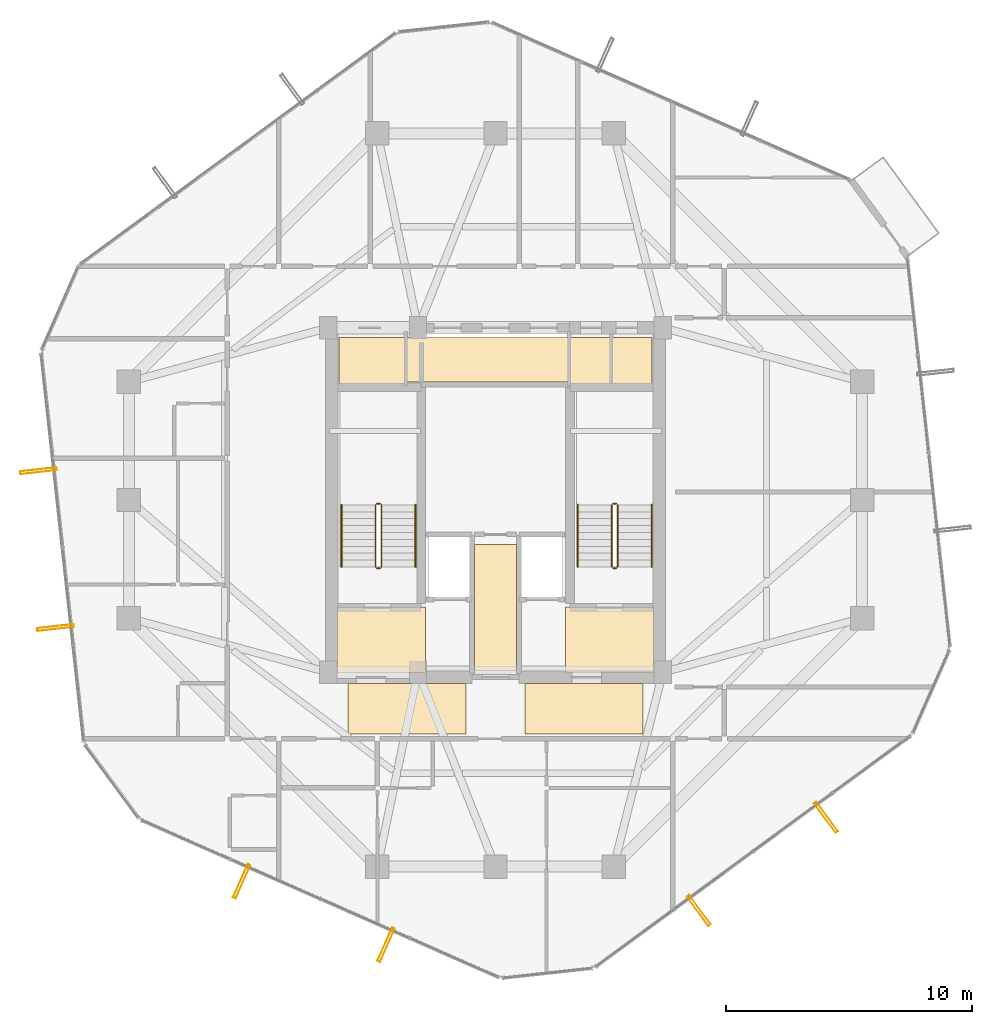
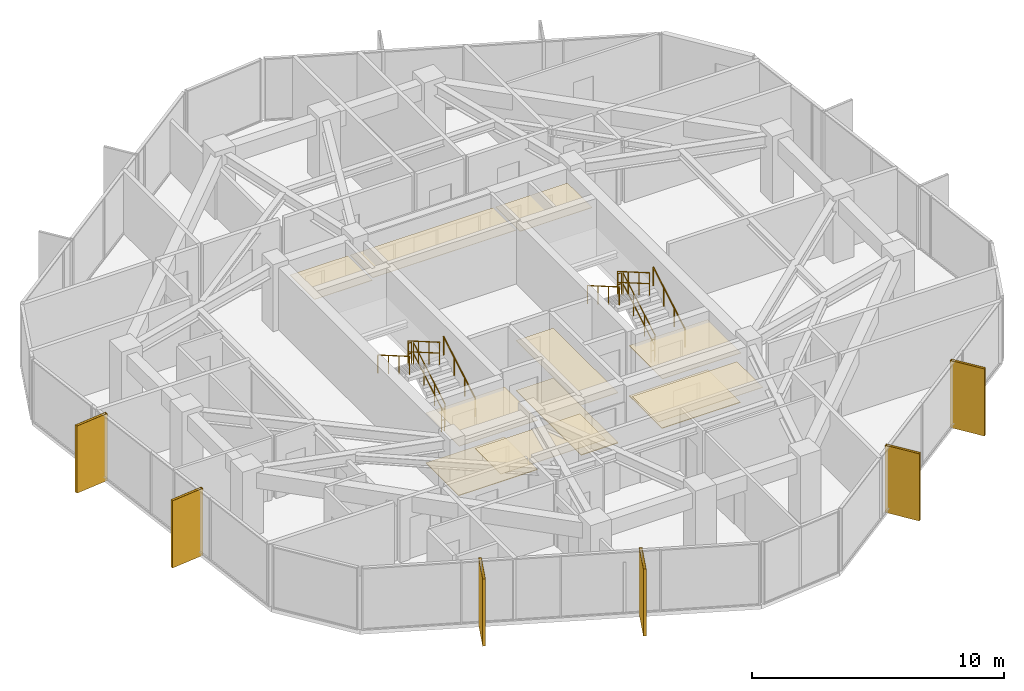
# One storey, part 31 of 32: 12 railings, 11 coverings, 6 shading devices.
"""IFC4 building model written with IfcOpenShell, lengths in metres."""

import ifcopenshell
import ifcopenshell.guid

model = None  # the IFC model being written
_history = None  # IfcOwnerHistory: only IFC2X3 demands one
_inside = {}  # id of a spatial element -> (the spatial element, [elements in it])
_under = {}  # id of a project, library or spatial element -> (it, [spatial elements below it])
_declared = {}  # id of a project -> (the project, [libraries it declares])
_typed = {}  # id of a type object -> (the type object, [elements of that type])
_made_of = {}  # id of a material, layer set ... -> (it, [elements and type objects made of it])


def new_model(schema):
    """Start an empty IFC model of exactly this schema.

    Asked for "IFC4X3", IfcOpenShell would pick the latest addendum, in which some entities
    have other attributes; the version numbers below select the first issue.
    IFC2X3 requires an IfcOwnerHistory on every rooted entity: one is made here for all.
    """
    global model, _history
    if schema == "IFC4X3":
        model = ifcopenshell.file(schema_version=(4, 3, 0, 0))
    else:
        model = ifcopenshell.file(schema=schema)
    _inside.clear()
    _under.clear()
    _declared.clear()
    _typed.clear()
    _made_of.clear()
    _history = None
    if model.schema == "IFC2X3":
        org = make("IfcOrganization", Name="unknown")
        user = make(
            "IfcPersonAndOrganization",
            ThePerson=make("IfcPerson", FamilyName="unknown"),
            TheOrganization=org,
        )
        app = make(
            "IfcApplication",
            ApplicationDeveloper=org,
            Version="unknown",
            ApplicationFullName="unknown",
            ApplicationIdentifier="unknown",
        )
        _history = make(
            "IfcOwnerHistory",
            OwningUser=user,
            OwningApplication=app,
            ChangeAction="ADDED",
            CreationDate=0,
        )
    return model


def make(cls, **values):
    """One entity of the class cls with the attributes given. An attribute that is None is left unset."""
    return model.create_entity(
        cls, **{name: value for name, value in values.items() if value is not None}
    )


def rooted(cls, **values):
    """An entity with a GlobalId (a new one), such as an element, a storey or a relation."""
    return make(cls, GlobalId=ifcopenshell.guid.new(), OwnerHistory=_history, **values)


def si_unit(unit_type, name, prefix=None):
    """IfcSIUnit, for example si_unit("LENGTHUNIT", "METRE", prefix="MILLI")."""
    return make("IfcSIUnit", UnitType=unit_type, Prefix=prefix, Name=name)


def assignment(units):
    """IfcUnitAssignment: the units of a project."""
    return None if units is None else make("IfcUnitAssignment", Units=units)


def point(xyz):
    """IfcCartesianPoint."""
    return None if xyz is None else make("IfcCartesianPoint", Coordinates=xyz)


def direction(xyz):
    """IfcDirection."""
    return None if xyz is None else make("IfcDirection", DirectionRatios=xyz)


def frame(location, z_axis=None, x_axis=None):
    """IfcAxis2Placement3D, a coordinate frame: its origin and axes. An axis left out is left unset."""
    return make(
        "IfcAxis2Placement3D",
        Location=point(location),
        Axis=direction(z_axis),
        RefDirection=direction(x_axis),
    )


def frame_2d(location, x_axis=None):
    """IfcAxis2Placement2D, a coordinate frame in the plane: its origin and x axis."""
    return make(
        "IfcAxis2Placement2D", Location=point(location), RefDirection=direction(x_axis)
    )


def origin():
    """The frame at (0, 0, 0) with its axes left unset."""
    return frame((0.0, 0.0, 0.0))


def origin_2d():
    """The frame at (0, 0) in the plane with its x axis left unset."""
    return frame_2d((0.0, 0.0))


def place(relative_to, where):
    """IfcLocalPlacement: puts the frame where relative to a parent placement (None: the world)."""
    return make(
        "IfcLocalPlacement", PlacementRelTo=relative_to, RelativePlacement=where
    )


def context(
    kind, dimensions, precision=None, world=None, true_north=None, identifier=None
):
    """IfcGeometricRepresentationContext, for example the 3D "Model" context."""
    return make(
        "IfcGeometricRepresentationContext",
        ContextIdentifier=identifier,
        ContextType=kind,
        CoordinateSpaceDimension=dimensions,
        Precision=precision,
        WorldCoordinateSystem=world,
        TrueNorth=true_north,
    )


def subcontext(parent, identifier, kind, view, scale=None):
    """IfcGeometricRepresentationSubContext, for example "Body" below "Model"."""
    return make(
        "IfcGeometricRepresentationSubContext",
        ContextIdentifier=identifier,
        ContextType=kind,
        ParentContext=parent,
        TargetScale=scale,
        TargetView=view,
    )


def project(units=None, contexts=None):
    """IfcProject with its units and contexts."""
    return rooted(
        "IfcProject",
        Name="project",
        RepresentationContexts=contexts,
        UnitsInContext=assignment(units),
    )


def spatial(cls, under=None, at=None, **own):
    """A site, building, storey or space (cls), placed at a placement, below another one or the project."""
    s = rooted(cls, ObjectPlacement=at, **own)
    if under is not None:
        _under.setdefault(under.id(), (under, []))[1].append(s)
    return s


def polyline(points):
    """IfcPolyline through the points."""
    return make("IfcPolyline", Points=[point(p) for p in points])


def profile(cls, at=None, kind="AREA", **sizes):
    """A parametric profile (cls). Its sizes go by their IFC names, for example OverallWidth=200.0."""
    return make(cls, ProfileType=kind, Position=at, **sizes)


def hollow_rectangle(**sizes):
    """IfcRectangleHollowProfileDef."""
    return profile("IfcRectangleHollowProfileDef", **sizes)


def circle(**sizes):
    """IfcCircleProfileDef."""
    return profile("IfcCircleProfileDef", **sizes)


def outline(outer, holes=None, kind="AREA"):
    """IfcArbitraryClosedProfileDef: a profile drawn as a closed curve; with holes, ...WithVoids."""
    if holes is None:
        return make("IfcArbitraryClosedProfileDef", ProfileType=kind, OuterCurve=outer)
    return make(
        "IfcArbitraryProfileDefWithVoids",
        ProfileType=kind,
        OuterCurve=outer,
        InnerCurves=holes,
    )


def extrude(swept, where, along, depth):
    """IfcExtrudedAreaSolid: the profile swept, set in the frame where, extruded along a direction by depth."""
    return make(
        "IfcExtrudedAreaSolid",
        SweptArea=swept,
        Position=where,
        ExtrudedDirection=direction(along),
        Depth=depth,
    )


def shape(context_of_items, identifier, shape_type, items):
    """IfcShapeRepresentation: the items that make up one representation, for example the "Body"."""
    return make(
        "IfcShapeRepresentation",
        ContextOfItems=context_of_items,
        RepresentationIdentifier=identifier,
        RepresentationType=shape_type,
        Items=items,
    )


def material(Name=None, Category=None):
    """IfcMaterial."""
    return make("IfcMaterial", Name=Name, Category=Category)


def layer(
    of_material, thickness, ventilated=None, Name=None, Category=None, Priority=None
):
    """IfcMaterialLayer: one layer of a wall or slab, of a material (None: an air gap)."""
    return make(
        "IfcMaterialLayer",
        Material=of_material,
        LayerThickness=thickness,
        IsVentilated=ventilated,
        Name=Name,
        Category=Category,
        Priority=Priority,
    )


def layer_set(layers, Name=None):
    """IfcMaterialLayerSet."""
    return make("IfcMaterialLayerSet", MaterialLayers=layers, LayerSetName=Name)


def material_profile(
    of_material, cross_section, Name=None, Category=None, Priority=None
):
    """IfcMaterialProfile: a cross section and its material."""
    return make(
        "IfcMaterialProfile",
        Name=Name,
        Material=of_material,
        Profile=cross_section,
        Priority=Priority,
        Category=Category,
    )


def profile_set(profiles, Name=None, composite=None):
    """IfcMaterialProfileSet."""
    return make(
        "IfcMaterialProfileSet",
        Name=Name,
        MaterialProfiles=profiles,
        CompositeProfile=composite,
    )


def made_of(thing, what):
    """Note that an element or type object is made of a material, layer set ...; save() writes the relation."""
    if what is not None:
        _made_of.setdefault(what.id(), (what, []))[1].append(thing)
    return thing


def type_object(cls, material=None, **own):
    """A type object (cls), such as IfcWallType, which elements share."""
    return made_of(rooted(cls, **own), material)


def element(
    cls,
    number,
    at=None,
    inside=None,
    cuts=None,
    type_object=None,
    material=None,
    context=None,
    identifier="Body",
    shape_type=None,
    held_by="IfcProductDefinitionShape",
    body=None,
    shapes=None,
    **own,
):
    """One element of the class cls, such as IfcWall. Its Tag is "e" and its number.

    at: its placement. inside: the storey or other place that contains it. cuts: it is an
    opening in that element (IfcRelVoidsElement). A single representation is given by context,
    identifier, shape_type and body (its items); several are given by shapes. held_by: the class
    of the entity that holds the representations. save() writes the other relations.
    """
    e = rooted(cls, Tag="e%d" % number, ObjectPlacement=at, **own)
    if body is not None:
        shapes = [shape(context, identifier, shape_type, body)]
    if shapes is not None:
        e.Representation = make(held_by, Representations=shapes)
    if inside is not None:
        _inside.setdefault(inside.id(), (inside, []))[1].append(e)
    if cuts is not None:
        rooted(
            "IfcRelVoidsElement", RelatingBuildingElement=cuts, RelatedOpeningElement=e
        )
    if type_object is not None:
        _typed.setdefault(type_object.id(), (type_object, []))[1].append(e)
    return made_of(e, material)


def aggregate(whole, parts):
    """IfcRelAggregates: a whole, such as a stair, and the parts it consists of."""
    return rooted("IfcRelAggregates", RelatingObject=whole, RelatedObjects=parts)


def save(model, path):
    """Write the relations noted so far, then the file.

    IfcRelAggregates (storeys below a building ...), IfcRelContainedInSpatialStructure (elements
    in a storey), IfcRelDefinesByType, IfcRelAssociatesMaterial and IfcRelDeclares: one each for
    every whole, place, type object, material and project.
    """
    for whole, parts in _under.values():
        aggregate(whole, parts)
    for where, things in _inside.values():
        rooted(
            "IfcRelContainedInSpatialStructure",
            RelatedElements=things,
            RelatingStructure=where,
        )
    for kind, things in _typed.values():
        rooted("IfcRelDefinesByType", RelatedObjects=things, RelatingType=kind)
    for what, things in _made_of.values():
        rooted("IfcRelAssociatesMaterial", RelatedObjects=things, RelatingMaterial=what)
    for by, libraries in _declared.values():
        rooted("IfcRelDeclares", RelatingContext=by, RelatedDefinitions=libraries)
    model.write(path)


model = new_model("IFC4")

# Units and contexts
model_context = context("Model", 3, precision=1e-05, world=origin(), true_north=direction((0.0, 1.0)))
body_context = subcontext(model_context, "Body", "Model", "MODEL_VIEW")
ifc_project = project(units=[si_unit("LENGTHUNIT", "METRE"), si_unit("AREAUNIT", "SQUARE_METRE"), si_unit("VOLUMEUNIT", "CUBIC_METRE"), si_unit("PLANEANGLEUNIT", "RADIAN"), si_unit("MASSUNIT", "GRAM", prefix="KILO")], contexts=[model_context])

# Site, building, storey
site_placement = place(None, origin())
site = spatial("IfcSite", under=ifc_project, at=site_placement, CompositionType="ELEMENT")
building_placement = place(site_placement, origin())
building = spatial("IfcBuilding", under=site, at=building_placement, Name="Veraguas Prism Commons", CompositionType="ELEMENT")
storey_placement = place(building_placement, frame((0.0, 0.0, 185.35009765625)))
storey = spatial("IfcBuildingStorey", under=building, at=storey_placement, Name="L52", CompositionType="ELEMENT", Elevation=185.35009765625)

# Shading devices
ifc_material_1 = material(Name="Anodised aluminium EN AW-6063 T6", Category="aluminium")
ifc_material_profile = material_profile(ifc_material_1, hollow_rectangle(XDim=0.1201171875, YDim=1.489990234375, WallThickness=0.006103515625, at=origin_2d()), Name="FIN120X1490X6")
ifc_profile_set = profile_set([ifc_material_profile], Name="Anodised aluminium EN AW-6063 T6")
shading_device_type = type_object("IfcShadingDeviceType", Name="Deep Pale-Metal Vertical Solar Fin 120x1490", PredefinedType="USERDEFINED", material=ifc_profile_set)
for number, where, z_axis, x_axis, name in (
    (1, (5.4248046875, 25.18603515625, -0.215087890625), (0.0, 0.0, 1.0), (0.109040368753, -0.994037322228, 0.0), "Vertical Pale-Metal Solar Fin L52-F3A"),
    (2, (6.12353515625, 18.815185546875, -0.215087890625), (0.0, 0.0, 1.0), (0.109040368753, -0.994037322228, 0.0), "Vertical Pale-Metal Solar Fin L52-F3B"),
    (3, (13.685302734375, 8.50634765625, -0.215087890625), (0.0, 0.0, 1.0), (0.915381757736, -0.402586931735, 0.0), "Vertical Pale-Metal Solar Fin L52-F4A"),
    (4, (19.5517578125, 5.92626953125, -0.215087890625), (0.0, 0.0, 1.0), (0.915381757736, -0.402586931735, 0.0), "Vertical Pale-Metal Solar Fin L52-F4B"),
    (5, (32.260498046875, 7.3203125, -0.215087890625), (0.0, 0.0, 1.0), (0.806341388983, 0.591450390493, 0.0), "Vertical Pale-Metal Solar Fin L52-F5A"),
    (6, (37.42822265625, 11.11083984375, -0.215087890625), (0.0, 0.0, 1.0), (0.806341388983, 0.591450390493, 0.0), "Vertical Pale-Metal Solar Fin L52-F5B"),
):
    element("IfcShadingDevice", number, at=place(storey_placement, frame(where, z_axis=z_axis, x_axis=x_axis)), inside=storey, type_object=shading_device_type, Name=name, ObjectType="FIN", PredefinedType="USERDEFINED", context=body_context, shape_type="SweptSolid", body=[
        extrude(hollow_rectangle(XDim=0.1201171875, YDim=1.489990234375, WallThickness=0.006103515625, at=origin_2d()), origin(), (0.0, 0.0, 1.0), 3.25),
    ])

# Coverings
ifc_material_2 = material(Name="Acoustic gypsum board")
ifc_layer_1 = layer(ifc_material_2, 0.02490234375, Name="Perforated Acoustic Ceiling Tile 25")
ifc_layer_set_1 = layer_set([ifc_layer_1], Name="Acoustic gypsum board")
covering_type_1 = type_object("IfcCoveringType", Name="Perforated Acoustic Ceiling Tile 25", PredefinedType="USERDEFINED", material=ifc_layer_set_1)
covering_1_placement = place(storey_placement, frame((0.0, 0.0, 2.4248046875)))
element("IfcCovering", 7, at=covering_1_placement, inside=storey, type_object=covering_type_1, Name="East Lobby Acoustic Ceiling L52", ObjectType="ACOUSTIC CEILING", PredefinedType="USERDEFINED", context=body_context, shape_type="SweptSolid", body=[
    extrude(outline(polyline([(26.85009765625, 17.0), (30.449951171875, 17.0), (30.449951171875, 19.64990234375), (26.85009765625, 19.64990234375), (26.85009765625, 17.0)])), origin(), (0.0, 0.0, 1.0), 0.025146484375),
])
ifc_material_3 = material(Name="Terrazzo stone finish", Category="masonry")
ifc_layer_2 = layer(ifc_material_3, 0.030029296875, Name="Polished Terrazzo Floor Finish 30", Category="masonry")
ifc_layer_set_2 = layer_set([ifc_layer_2], Name="Terrazzo stone finish")
covering_type_2 = type_object("IfcCoveringType", Name="Polished Terrazzo Floor Finish 30", PredefinedType="FLOORING", material=ifc_layer_set_2)
covering_2_placement = place(storey_placement, origin())
element("IfcCovering", 8, at=covering_2_placement, inside=storey, type_object=covering_type_2, Name="Terrazzo Lobby Flooring L52", PredefinedType="FLOORING", context=body_context, shape_type="SweptSolid", body=[
    extrude(outline(polyline([(23.14990234375, 17.050048828125), (24.85009765625, 17.050048828125), (24.85009765625, 22.199951171875), (23.14990234375, 22.199951171875), (23.14990234375, 17.050048828125)])), origin(), (0.0, 0.0, 1.0), 0.02978515625),
])
covering_3_placement = place(storey_placement, origin())
element("IfcCovering", 9, at=covering_3_placement, inside=storey, type_object=covering_type_2, Name="West FF Lobby Terrazzo Flooring L52", PredefinedType="FLOORING", context=body_context, shape_type="SweptSolid", body=[
    extrude(outline(polyline([(17.550048828125, 17.050048828125), (21.14990234375, 17.050048828125), (21.14990234375, 19.64990234375), (17.550048828125, 19.64990234375), (17.550048828125, 17.050048828125)])), origin(), (0.0, 0.0, 1.0), 0.02978515625),
])
covering_4_placement = place(storey_placement, origin())
element("IfcCovering", 10, at=covering_4_placement, inside=storey, type_object=covering_type_2, Name="East FF Lobby Terrazzo Flooring L52", PredefinedType="FLOORING", context=body_context, shape_type="SweptSolid", body=[
    extrude(outline(polyline([(26.85009765625, 17.050048828125), (30.449951171875, 17.050048828125), (30.449951171875, 19.64990234375), (26.85009765625, 19.64990234375), (26.85009765625, 17.050048828125)])), origin(), (0.0, 0.0, 1.0), 0.02978515625),
])

# Railings
ifc_material_4 = material(Name="Stainless steel AISI 316", Category="steel")
railing_type_1 = type_object("IfcRailingType", Name="Stair and Ramp Stainless Handrail 900", PredefinedType="HANDRAIL", material=ifc_material_4)
railing_1_placement = place(storey_placement, frame((20.75, 21.280029296875, 0.162353515625)))
element("IfcRailing", 11, at=railing_1_placement, inside=storey, type_object=railing_type_1, Name="Stair Handrail ST-01 L52-1", PredefinedType="HANDRAIL", context=body_context, shape_type="SweptSolid", body=[
    extrude(circle(Radius=0.02392578125, at=origin_2d()), frame((0.0, 0.0, 0.8759765625), z_axis=(0.0, 0.864876961378, 0.501983905795), x_axis=(-1.0, 0.0, 0.0)), (0.0, 0.0, 1.0), 2.913818359375),
    extrude(circle(Radius=0.02099609375, at=origin_2d()), origin(), (0.0, 0.0, 1.0), 0.851806640625),
    extrude(circle(Radius=0.02099609375, at=origin_2d()), frame((0.0, 0.840087890625, 0.487548828125)), (0.0, 0.0, 1.0), 0.851806640625),
    extrude(circle(Radius=0.02099609375, at=origin_2d()), frame((0.0, 1.679931640625, 0.97509765625)), (0.0, 0.0, 1.0), 0.851806640625),
    extrude(circle(Radius=0.02099609375, at=origin_2d()), frame((0.0, 2.52001953125, 1.462646484375)), (0.0, 0.0, 1.0), 0.851806640625),
])
railing_2_placement = place(storey_placement, frame((17.739990234375, 23.800048828125, 1.787353515625)))
element("IfcRailing", 12, at=railing_2_placement, inside=storey, type_object=railing_type_1, Name="Stair Handrail ST-01 L52-2", PredefinedType="HANDRAIL", context=body_context, shape_type="SweptSolid", body=[
    extrude(circle(Radius=0.02392578125, at=origin_2d()), frame((0.0, 0.0, 0.8759765625), z_axis=(0.0, -0.864876961378, 0.501983905795), x_axis=(1.0, 0.0, 0.0)), (0.0, 0.0, 1.0), 2.913818359375),
    extrude(circle(Radius=0.02099609375, at=origin_2d()), origin(), (0.0, 0.0, 1.0), 0.851806640625),
    extrude(circle(Radius=0.02099609375, at=origin_2d()), frame((0.0, -0.840087890625, 0.487548828125)), (0.0, 0.0, 1.0), 0.851806640625),
    extrude(circle(Radius=0.02099609375, at=origin_2d()), frame((0.0, -1.679931640625, 0.97509765625)), (0.0, 0.0, 1.0), 0.851806640625),
    extrude(circle(Radius=0.02099609375, at=origin_2d()), frame((0.0, -2.52001953125, 1.462646484375)), (0.0, 0.0, 1.0), 0.851806640625),
])
railing_3_placement = place(storey_placement, frame((30.35009765625, 21.280029296875, 0.162353515625)))
element("IfcRailing", 13, at=railing_3_placement, inside=storey, type_object=railing_type_1, Name="Stair Handrail ST-02 L52-1", PredefinedType="HANDRAIL", context=body_context, shape_type="SweptSolid", body=[
    extrude(circle(Radius=0.02392578125, at=origin_2d()), frame((0.0, 0.0, 0.8759765625), z_axis=(0.0, 0.864876961378, 0.501983905795), x_axis=(-1.0, 0.0, 0.0)), (0.0, 0.0, 1.0), 2.913818359375),
    extrude(circle(Radius=0.02099609375, at=origin_2d()), origin(), (0.0, 0.0, 1.0), 0.851806640625),
    extrude(circle(Radius=0.02099609375, at=origin_2d()), frame((0.0, 0.840087890625, 0.487548828125)), (0.0, 0.0, 1.0), 0.851806640625),
    extrude(circle(Radius=0.02099609375, at=origin_2d()), frame((0.0, 1.679931640625, 0.97509765625)), (0.0, 0.0, 1.0), 0.851806640625),
    extrude(circle(Radius=0.02099609375, at=origin_2d()), frame((0.0, 2.52001953125, 1.462646484375)), (0.0, 0.0, 1.0), 0.851806640625),
])
railing_4_placement = place(storey_placement, frame((27.340087890625, 23.800048828125, 1.787353515625)))
element("IfcRailing", 14, at=railing_4_placement, inside=storey, type_object=railing_type_1, Name="Stair Handrail ST-02 L52-2", PredefinedType="HANDRAIL", context=body_context, shape_type="SweptSolid", body=[
    extrude(circle(Radius=0.02392578125, at=origin_2d()), frame((0.0, 0.0, 0.8759765625), z_axis=(0.0, -0.864876961378, 0.501983905795), x_axis=(1.0, 0.0, 0.0)), (0.0, 0.0, 1.0), 2.913818359375),
    extrude(circle(Radius=0.02099609375, at=origin_2d()), origin(), (0.0, 0.0, 1.0), 0.851806640625),
    extrude(circle(Radius=0.02099609375, at=origin_2d()), frame((0.0, -0.840087890625, 0.487548828125)), (0.0, 0.0, 1.0), 0.851806640625),
    extrude(circle(Radius=0.02099609375, at=origin_2d()), frame((0.0, -1.679931640625, 0.97509765625)), (0.0, 0.0, 1.0), 0.851806640625),
    extrude(circle(Radius=0.02099609375, at=origin_2d()), frame((0.0, -2.52001953125, 1.462646484375)), (0.0, 0.0, 1.0), 0.851806640625),
])
railing_type_2 = type_object("IfcRailingType", Name="Stairwell Safety Guardrail 1100", PredefinedType="GUARDRAIL", material=ifc_material_4)
railing_5_placement = place(storey_placement, frame((19.3701171875, 21.280029296875, 0.162353515625)))
element("IfcRailing", 15, at=railing_5_placement, inside=storey, type_object=railing_type_2, Name="Stair Guard ST-01 L52-1", PredefinedType="GUARDRAIL", context=body_context, shape_type="SweptSolid", body=[
    extrude(circle(Radius=0.02392578125, at=origin_2d()), frame((0.0, 0.0, 1.076171875), z_axis=(0.0, 0.864876961378, 0.501983905795), x_axis=(-1.0, 0.0, 0.0)), (0.0, 0.0, 1.0), 2.913818359375),
    extrude(circle(Radius=0.02392578125, at=origin_2d()), frame((0.0, 0.0, 0.550048828125), z_axis=(0.0, 0.864876961378, 0.501983905795), x_axis=(-1.0, 0.0, 0.0)), (0.0, 0.0, 1.0), 2.913818359375),
    extrude(circle(Radius=0.02099609375, at=origin_2d()), origin(), (0.0, 0.0, 1.0), 1.052001953125),
    extrude(circle(Radius=0.02099609375, at=origin_2d()), frame((0.0, 0.840087890625, 0.487548828125)), (0.0, 0.0, 1.0), 1.052001953125),
    extrude(circle(Radius=0.02099609375, at=origin_2d()), frame((0.0, 1.679931640625, 0.97509765625)), (0.0, 0.0, 1.0), 1.052001953125),
    extrude(circle(Radius=0.02099609375, at=origin_2d()), frame((0.0, 2.52001953125, 1.462646484375)), (0.0, 0.0, 1.0), 1.052001953125),
])
railing_6_placement = place(storey_placement, frame((19.320068359375, 23.85009765625, 1.625)))
element("IfcRailing", 16, at=railing_6_placement, inside=storey, type_object=railing_type_2, Name="Stair Guard ST-01 L52-2", PredefinedType="GUARDRAIL", context=body_context, shape_type="SweptSolid", body=[
    extrude(circle(Radius=0.02392578125, at=origin_2d()), frame((0.0, 0.0, 1.076171875), z_axis=(-1.0, 0.0, 0.0), x_axis=(0.0, -1.0, 0.0)), (0.0, 0.0, 1.0), 0.150146484375),
    extrude(circle(Radius=0.02392578125, at=origin_2d()), frame((0.0, 0.0, 0.550048828125), z_axis=(-1.0, 0.0, 0.0), x_axis=(0.0, -1.0, 0.0)), (0.0, 0.0, 1.0), 0.150146484375),
    extrude(circle(Radius=0.02099609375, at=origin_2d()), origin(), (0.0, 0.0, 1.0), 1.052001953125),
    extrude(circle(Radius=0.02099609375, at=origin_2d()), frame((-0.150146484375, 0.0, 0.0)), (0.0, 0.0, 1.0), 1.052001953125),
])
railing_7_placement = place(storey_placement, frame((19.1201171875, 23.800048828125, 1.787353515625)))
element("IfcRailing", 17, at=railing_7_placement, inside=storey, type_object=railing_type_2, Name="Stair Guard ST-01 L52-3", PredefinedType="GUARDRAIL", context=body_context, shape_type="SweptSolid", body=[
    extrude(circle(Radius=0.02392578125, at=origin_2d()), frame((0.0, 0.0, 1.076171875), z_axis=(0.0, -0.864876961378, 0.501983905795), x_axis=(1.0, 0.0, 0.0)), (0.0, 0.0, 1.0), 2.913818359375),
    extrude(circle(Radius=0.02392578125, at=origin_2d()), frame((0.0, 0.0, 0.550048828125), z_axis=(0.0, -0.864876961378, 0.501983905795), x_axis=(1.0, 0.0, 0.0)), (0.0, 0.0, 1.0), 2.913818359375),
    extrude(circle(Radius=0.02099609375, at=origin_2d()), origin(), (0.0, 0.0, 1.0), 1.052001953125),
    extrude(circle(Radius=0.02099609375, at=origin_2d()), frame((0.0, -0.840087890625, 0.487548828125)), (0.0, 0.0, 1.0), 1.052001953125),
    extrude(circle(Radius=0.02099609375, at=origin_2d()), frame((0.0, -1.679931640625, 0.97509765625)), (0.0, 0.0, 1.0), 1.052001953125),
    extrude(circle(Radius=0.02099609375, at=origin_2d()), frame((0.0, -2.52001953125, 1.462646484375)), (0.0, 0.0, 1.0), 1.052001953125),
])
railing_8_placement = place(storey_placement, frame((19.320068359375, 21.22998046875, 0.0)))
element("IfcRailing", 18, at=railing_8_placement, inside=storey, type_object=railing_type_2, Name="Stair Guard ST-01 L52-4", PredefinedType="GUARDRAIL", context=body_context, shape_type="SweptSolid", body=[
    extrude(circle(Radius=0.02392578125, at=origin_2d()), frame((0.0, 0.0, 1.076171875), z_axis=(-1.0, 0.0, 0.0), x_axis=(0.0, -1.0, 0.0)), (0.0, 0.0, 1.0), 0.150146484375),
    extrude(circle(Radius=0.02392578125, at=origin_2d()), frame((0.0, 0.0, 0.550048828125), z_axis=(-1.0, 0.0, 0.0), x_axis=(0.0, -1.0, 0.0)), (0.0, 0.0, 1.0), 0.150146484375),
    extrude(circle(Radius=0.02099609375, at=origin_2d()), origin(), (0.0, 0.0, 1.0), 1.052001953125),
    extrude(circle(Radius=0.02099609375, at=origin_2d()), frame((-0.150146484375, 0.0, 0.0)), (0.0, 0.0, 1.0), 1.052001953125),
])
railing_9_placement = place(storey_placement, frame((28.969970703125, 21.280029296875, 0.162353515625)))
element("IfcRailing", 19, at=railing_9_placement, inside=storey, type_object=railing_type_2, Name="Stair Guard ST-02 L52-1", PredefinedType="GUARDRAIL", context=body_context, shape_type="SweptSolid", body=[
    extrude(circle(Radius=0.02392578125, at=origin_2d()), frame((0.0, 0.0, 1.076171875), z_axis=(0.0, 0.864876961378, 0.501983905795), x_axis=(-1.0, 0.0, 0.0)), (0.0, 0.0, 1.0), 2.913818359375),
    extrude(circle(Radius=0.02392578125, at=origin_2d()), frame((0.0, 0.0, 0.550048828125), z_axis=(0.0, 0.864876961378, 0.501983905795), x_axis=(-1.0, 0.0, 0.0)), (0.0, 0.0, 1.0), 2.913818359375),
    extrude(circle(Radius=0.02099609375, at=origin_2d()), origin(), (0.0, 0.0, 1.0), 1.052001953125),
    extrude(circle(Radius=0.02099609375, at=origin_2d()), frame((0.0, 0.840087890625, 0.487548828125)), (0.0, 0.0, 1.0), 1.052001953125),
    extrude(circle(Radius=0.02099609375, at=origin_2d()), frame((0.0, 1.679931640625, 0.97509765625)), (0.0, 0.0, 1.0), 1.052001953125),
    extrude(circle(Radius=0.02099609375, at=origin_2d()), frame((0.0, 2.52001953125, 1.462646484375)), (0.0, 0.0, 1.0), 1.052001953125),
])
railing_10_placement = place(storey_placement, frame((28.919921875, 23.85009765625, 1.625)))
element("IfcRailing", 20, at=railing_10_placement, inside=storey, type_object=railing_type_2, Name="Stair Guard ST-02 L52-2", PredefinedType="GUARDRAIL", context=body_context, shape_type="SweptSolid", body=[
    extrude(circle(Radius=0.02392578125, at=origin_2d()), frame((0.0, 0.0, 1.076171875), z_axis=(-1.0, 0.0, 0.0), x_axis=(0.0, -1.0, 0.0)), (0.0, 0.0, 1.0), 0.14990234375),
    extrude(circle(Radius=0.02392578125, at=origin_2d()), frame((0.0, 0.0, 0.550048828125), z_axis=(-1.0, 0.0, 0.0), x_axis=(0.0, -1.0, 0.0)), (0.0, 0.0, 1.0), 0.14990234375),
    extrude(circle(Radius=0.02099609375, at=origin_2d()), origin(), (0.0, 0.0, 1.0), 1.052001953125),
    extrude(circle(Radius=0.02099609375, at=origin_2d()), frame((-0.14990234375, 0.0, 0.0)), (0.0, 0.0, 1.0), 1.052001953125),
])
railing_11_placement = place(storey_placement, frame((28.719970703125, 23.800048828125, 1.787353515625)))
element("IfcRailing", 21, at=railing_11_placement, inside=storey, type_object=railing_type_2, Name="Stair Guard ST-02 L52-3", PredefinedType="GUARDRAIL", context=body_context, shape_type="SweptSolid", body=[
    extrude(circle(Radius=0.02392578125, at=origin_2d()), frame((0.0, 0.0, 1.076171875), z_axis=(0.0, -0.864876961378, 0.501983905795), x_axis=(1.0, 0.0, 0.0)), (0.0, 0.0, 1.0), 2.913818359375),
    extrude(circle(Radius=0.02392578125, at=origin_2d()), frame((0.0, 0.0, 0.550048828125), z_axis=(0.0, -0.864876961378, 0.501983905795), x_axis=(1.0, 0.0, 0.0)), (0.0, 0.0, 1.0), 2.913818359375),
    extrude(circle(Radius=0.02099609375, at=origin_2d()), origin(), (0.0, 0.0, 1.0), 1.052001953125),
    extrude(circle(Radius=0.02099609375, at=origin_2d()), frame((0.0, -0.840087890625, 0.487548828125)), (0.0, 0.0, 1.0), 1.052001953125),
    extrude(circle(Radius=0.02099609375, at=origin_2d()), frame((0.0, -1.679931640625, 0.97509765625)), (0.0, 0.0, 1.0), 1.052001953125),
    extrude(circle(Radius=0.02099609375, at=origin_2d()), frame((0.0, -2.52001953125, 1.462646484375)), (0.0, 0.0, 1.0), 1.052001953125),
])
railing_12_placement = place(storey_placement, frame((28.919921875, 21.22998046875, 0.0)))
element("IfcRailing", 22, at=railing_12_placement, inside=storey, type_object=railing_type_2, Name="Stair Guard ST-02 L52-4", PredefinedType="GUARDRAIL", context=body_context, shape_type="SweptSolid", body=[
    extrude(circle(Radius=0.02392578125, at=origin_2d()), frame((0.0, 0.0, 1.076171875), z_axis=(-1.0, 0.0, 0.0), x_axis=(0.0, -1.0, 0.0)), (0.0, 0.0, 1.0), 0.14990234375),
    extrude(circle(Radius=0.02392578125, at=origin_2d()), frame((0.0, 0.0, 0.550048828125), z_axis=(-1.0, 0.0, 0.0), x_axis=(0.0, -1.0, 0.0)), (0.0, 0.0, 1.0), 0.14990234375),
    extrude(circle(Radius=0.02099609375, at=origin_2d()), origin(), (0.0, 0.0, 1.0), 1.052001953125),
    extrude(circle(Radius=0.02099609375, at=origin_2d()), frame((-0.14990234375, 0.0, 0.0)), (0.0, 0.0, 1.0), 1.052001953125),
])

# Coverings
ifc_layer_3 = layer(ifc_material_2, 0.02001953125, Name="Suspended Gypsum Ceiling 20")
ifc_layer_set_3 = layer_set([ifc_layer_3], Name="Acoustic gypsum board")
covering_type_3 = type_object("IfcCoveringType", Name="Suspended Gypsum Ceiling 20", PredefinedType="CEILING", material=ifc_layer_set_3)
covering_5_placement = place(storey_placement, frame((0.0, 0.0, 2.429931640625)))
element("IfcCovering", 23, at=covering_5_placement, inside=storey, type_object=covering_type_3, Name="West Lobby Suspended Gypsum Ceiling L52", PredefinedType="CEILING", context=body_context, shape_type="SweptSolid", body=[
    extrude(outline(polyline([(17.550048828125, 17.0), (21.14990234375, 17.0), (21.14990234375, 19.64990234375), (17.550048828125, 19.64990234375), (17.550048828125, 17.0)])), origin(), (0.0, 0.0, 1.0), 0.02001953125),
])
covering_6_placement = place(storey_placement, frame((0.0, 0.0, 2.429931640625)))
element("IfcCovering", 24, at=covering_6_placement, inside=storey, type_object=covering_type_3, Name="Core Lobby Acoustic Ceiling L52-1", PredefinedType="CEILING", context=body_context, shape_type="SweptSolid", body=[
    extrude(outline(polyline([(18.0, 14.5), (22.800048828125, 14.5), (22.800048828125, 16.550048828125), (18.0, 16.550048828125), (18.0, 14.5)])), origin(), (0.0, 0.0, 1.0), 0.02001953125),
])
covering_7_placement = place(storey_placement, frame((0.0, 0.0, 2.429931640625)))
element("IfcCovering", 25, at=covering_7_placement, inside=storey, type_object=covering_type_3, Name="Core Lobby Acoustic Ceiling L52-2", PredefinedType="CEILING", context=body_context, shape_type="SweptSolid", body=[
    extrude(outline(polyline([(25.199951171875, 14.5), (30.0, 14.5), (30.0, 16.550048828125), (25.199951171875, 16.550048828125), (25.199951171875, 14.5)])), origin(), (0.0, 0.0, 1.0), 0.02001953125),
])
covering_8_placement = place(storey_placement, frame((0.0, 0.0, 2.429931640625)))
element("IfcCovering", 26, at=covering_8_placement, inside=storey, type_object=covering_type_3, Name="Core Lobby Acoustic Ceiling L52-3", PredefinedType="CEILING", context=body_context, shape_type="SweptSolid", body=[
    extrude(outline(polyline([(23.14990234375, 17.050048828125), (24.85009765625, 17.050048828125), (24.85009765625, 22.199951171875), (23.14990234375, 22.199951171875), (23.14990234375, 17.050048828125)])), origin(), (0.0, 0.0, 1.0), 0.02001953125),
])
covering_9_placement = place(storey_placement, frame((0.0, 0.0, 2.429931640625)))
element("IfcCovering", 27, at=covering_9_placement, inside=storey, type_object=covering_type_3, Name="Core Lobby Acoustic Ceiling L52-4", PredefinedType="CEILING", context=body_context, shape_type="SweptSolid", body=[
    extrude(outline(polyline([(17.64990234375, 28.64990234375), (20.300048828125, 28.64990234375), (20.300048828125, 30.60009765625), (17.64990234375, 30.60009765625), (17.64990234375, 28.64990234375)])), origin(), (0.0, 0.0, 1.0), 0.02001953125),
])
covering_10_placement = place(storey_placement, frame((0.0, 0.0, 2.429931640625)))
element("IfcCovering", 28, at=covering_10_placement, inside=storey, type_object=covering_type_3, Name="Core Lobby Acoustic Ceiling L52-5", PredefinedType="CEILING", context=body_context, shape_type="SweptSolid", body=[
    extrude(outline(polyline([(27.050048828125, 28.64990234375), (30.35009765625, 28.64990234375), (30.35009765625, 30.60009765625), (27.050048828125, 30.60009765625), (27.050048828125, 28.64990234375)])), origin(), (0.0, 0.0, 1.0), 0.02001953125),
])
covering_11_placement = place(storey_placement, frame((0.0, 0.0, 2.429931640625)))
element("IfcCovering", 29, at=covering_11_placement, inside=storey, type_object=covering_type_3, Name="Core Lobby Acoustic Ceiling L52-6", PredefinedType="CEILING", context=body_context, shape_type="SweptSolid", body=[
    extrude(outline(polyline([(20.39990234375, 28.800048828125), (26.949951171875, 28.800048828125), (26.949951171875, 30.60009765625), (20.39990234375, 30.60009765625), (20.39990234375, 28.800048828125)])), origin(), (0.0, 0.0, 1.0), 0.02001953125),
])

save(model, "model.ifc")
